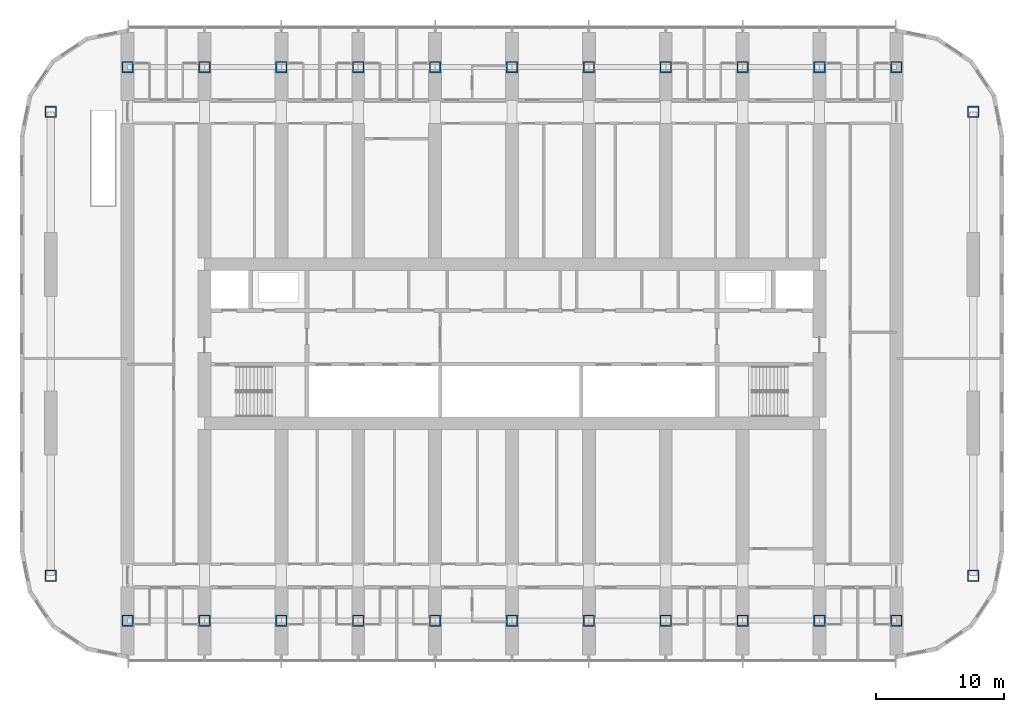
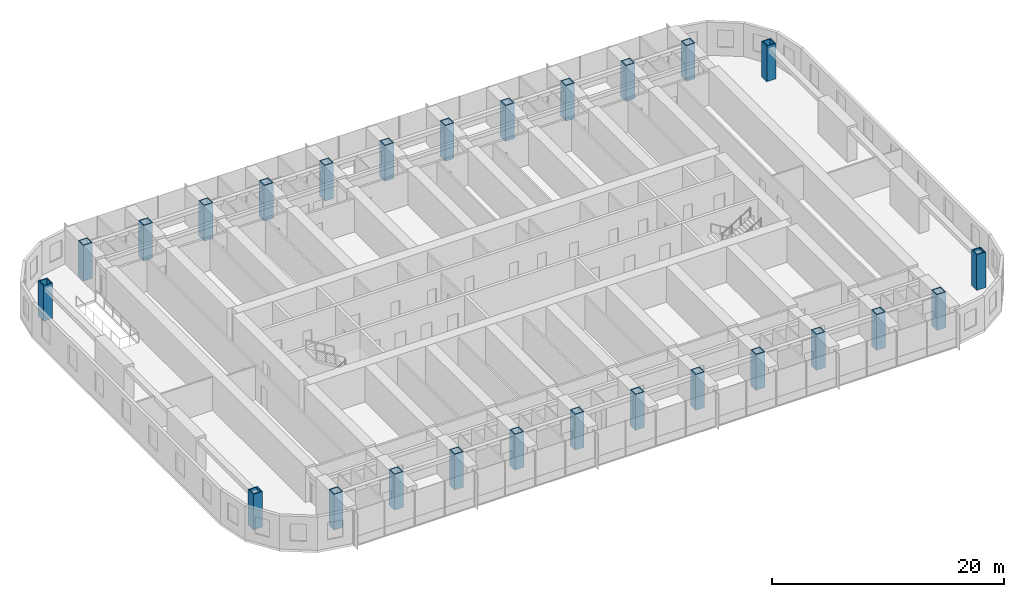
# One storey, part 1 of 23: 26 columns.
"""IFC4 building model written with IfcOpenShell, lengths in metres."""

from ifc_helpers import new_model, si_unit, direction, frame, origin, origin_2d, place, context, subcontext, project, spatial, hollow_rectangle, extrude, material, material_profile, profile_set, type_object, element, save


model = new_model("IFC4")

# Units and contexts
model_context = context("Model", 3, precision=1e-05, world=origin(), true_north=direction((0.0, 1.0)))
body_context = subcontext(model_context, "Body", "Model", "MODEL_VIEW")
ifc_project = project(units=[si_unit("LENGTHUNIT", "METRE"), si_unit("AREAUNIT", "SQUARE_METRE"), si_unit("VOLUMEUNIT", "CUBIC_METRE"), si_unit("PLANEANGLEUNIT", "RADIAN"), si_unit("MASSUNIT", "GRAM", prefix="KILO")], contexts=[model_context])

# Site, building, storey
site_placement = place(None, origin())
site = spatial("IfcSite", under=ifc_project, at=site_placement, CompositionType="ELEMENT")
building_placement = place(site_placement, origin())
building = spatial("IfcBuilding", under=site, at=building_placement, Name="Orbita Commons", CompositionType="ELEMENT")
storey_placement = place(building_placement, frame((0.0, 0.0, 42.699951171875)))
storey = spatial("IfcBuildingStorey", under=building, at=storey_placement, Name="L10", CompositionType="ELEMENT", Elevation=42.699951171875)

# Columns
ifc_material = material(Name="Steel ASTM A572 Gr 50 welded plate", Category="steel")
ifc_material_profile = material_profile(ifc_material, hollow_rectangle(XDim=0.89990234375, YDim=0.89990234375, WallThickness=0.090087890625, at=origin_2d()), Name="BOX 900x900x90")
ifc_profile_set = profile_set([ifc_material_profile], Name="Steel ASTM A572 Gr 50 welded plate")
column_type = type_object("IfcColumnType", Name="Steel column BOX 900x900x90", PredefinedType="COLUMN", material=ifc_profile_set)
for number, where, z_axis, x_axis, name in (
    (1, (12.0, 10.39990234375, 0.0), (0.0, 0.0, 1.0), (1.0, 0.0, 0.0), "Column 3/B L10"),
    (2, (12.0, 53.60009765625, 0.0), (0.0, 0.0, 1.0), (1.0, 0.0, 0.0), "Column 3/E L10"),
    (3, (18.0, 10.39990234375, 0.0), (0.0, 0.0, 1.0), (1.0, 0.0, 0.0), "Column 4/B L10"),
    (4, (18.0, 53.60009765625, 0.0), (0.0, 0.0, 1.0), (1.0, 0.0, 0.0), "Column 4/E L10"),
    (5, (24.0, 10.39990234375, 0.0), (0.0, 0.0, 1.0), (1.0, 0.0, 0.0), "Column 5/B L10"),
    (6, (24.0, 53.60009765625, 0.0), (0.0, 0.0, 1.0), (1.0, 0.0, 0.0), "Column 5/E L10"),
    (7, (30.0, 10.39990234375, 0.0), (0.0, 0.0, 1.0), (1.0, 0.0, 0.0), "Column 6/B L10"),
    (8, (30.0, 53.60009765625, 0.0), (0.0, 0.0, 1.0), (1.0, 0.0, 0.0), "Column 6/E L10"),
    (9, (36.0, 10.39990234375, 0.0), (0.0, 0.0, 1.0), (1.0, 0.0, 0.0), "Column 7/B L10"),
    (10, (36.0, 53.60009765625, 0.0), (0.0, 0.0, 1.0), (1.0, 0.0, 0.0), "Column 7/E L10"),
    (11, (42.0, 10.39990234375, 0.0), (0.0, 0.0, 1.0), (1.0, 0.0, 0.0), "Column 8/B L10"),
    (12, (42.0, 53.60009765625, 0.0), (0.0, 0.0, 1.0), (1.0, 0.0, 0.0), "Column 8/E L10"),
    (13, (48.0, 10.39990234375, 0.0), (0.0, 0.0, 1.0), (1.0, 0.0, 0.0), "Column 9/B L10"),
    (14, (48.0, 53.60009765625, 0.0), (0.0, 0.0, 1.0), (1.0, 0.0, 0.0), "Column 9/E L10"),
    (15, (54.0, 10.39990234375, 0.0), (0.0, 0.0, 1.0), (1.0, 0.0, 0.0), "Column 10/B L10"),
    (16, (54.0, 53.60009765625, 0.0), (0.0, 0.0, 1.0), (1.0, 0.0, 0.0), "Column 10/E L10"),
    (17, (60.0, 10.39990234375, 0.0), (0.0, 0.0, 1.0), (1.0, 0.0, 0.0), "Column 11/B L10"),
    (18, (60.0, 53.60009765625, 0.0), (0.0, 0.0, 1.0), (1.0, 0.0, 0.0), "Column 11/E L10"),
    (19, (66.0, 10.39990234375, 0.0), (0.0, 0.0, 1.0), (1.0, 0.0, 0.0), "Column 12/B L10"),
    (20, (66.0, 53.60009765625, 0.0), (0.0, 0.0, 1.0), (1.0, 0.0, 0.0), "Column 12/E L10"),
    (21, (72.0, 10.39990234375, 0.0), (0.0, 0.0, 1.0), (1.0, 0.0, 0.0), "Column 13/B L10"),
    (22, (72.0, 53.60009765625, 0.0), (0.0, 0.0, 1.0), (1.0, 0.0, 0.0), "Column 13/E L10"),
    (23, (6.0, 13.89990234375, 0.0), (0.0, 0.0, 1.0), (1.0, 0.0, 0.0), "Column 2/13.9 L10"),
    (24, (6.0, 50.10009765625, 0.0), (0.0, 0.0, 1.0), (1.0, 0.0, 0.0), "Column 2/50.1 L10"),
    (25, (78.0, 13.89990234375, 0.0), (0.0, 0.0, 1.0), (1.0, 0.0, 0.0), "Column 14/13.9 L10"),
    (26, (78.0, 50.10009765625, 0.0), (0.0, 0.0, 1.0), (1.0, 0.0, 0.0), "Column 14/50.1 L10"),
):
    element("IfcColumn", number, at=place(storey_placement, frame(where, z_axis=z_axis, x_axis=x_axis)), inside=storey, type_object=column_type, Name=name, PredefinedType="COLUMN", context=body_context, shape_type="SweptSolid", body=[
        extrude(hollow_rectangle(XDim=0.89990234375, YDim=0.89990234375, WallThickness=0.090087890625, at=origin_2d()), origin(), (0.0, 0.0, 1.0), 3.75),
    ])

save(model, "model.ifc")
